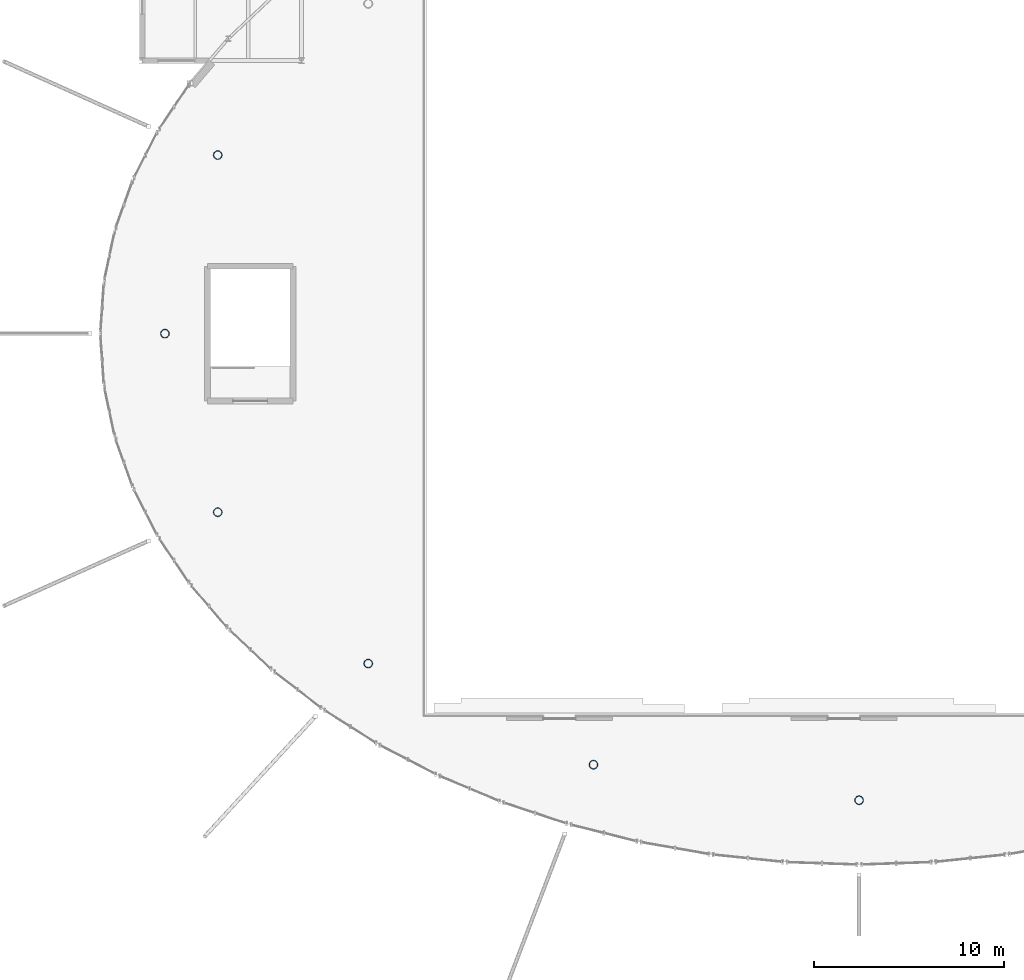
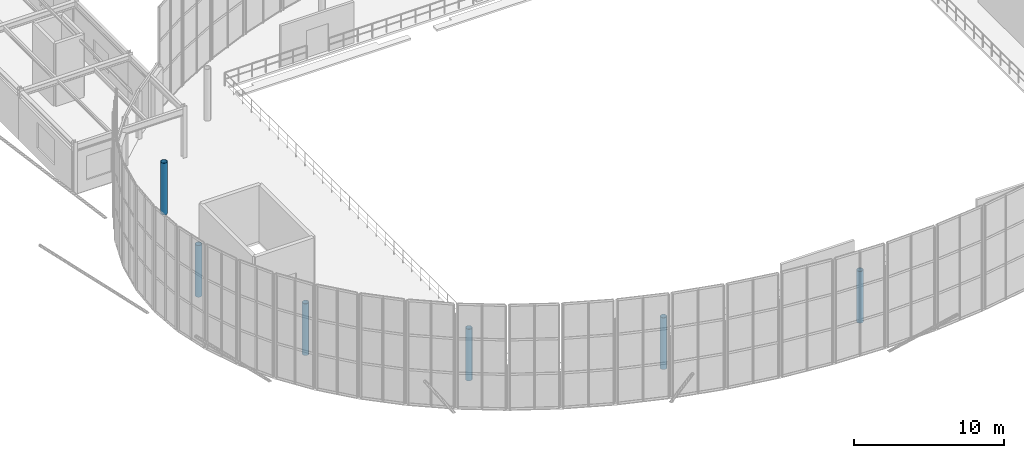
# One storey, part 1 of 109: 6 columns.
"""IFC4 building model written with IfcOpenShell, lengths in metres."""

import ifcopenshell
import ifcopenshell.guid

model = None  # the IFC model being written
_history = None  # IfcOwnerHistory: only IFC2X3 demands one
_inside = {}  # id of a spatial element -> (the spatial element, [elements in it])
_under = {}  # id of a project, library or spatial element -> (it, [spatial elements below it])
_declared = {}  # id of a project -> (the project, [libraries it declares])
_typed = {}  # id of a type object -> (the type object, [elements of that type])
_made_of = {}  # id of a material, layer set ... -> (it, [elements and type objects made of it])


def new_model(schema):
    """Start an empty IFC model of exactly this schema.

    Asked for "IFC4X3", IfcOpenShell would pick the latest addendum, in which some entities
    have other attributes; the version numbers below select the first issue.
    IFC2X3 requires an IfcOwnerHistory on every rooted entity: one is made here for all.
    """
    global model, _history
    if schema == "IFC4X3":
        model = ifcopenshell.file(schema_version=(4, 3, 0, 0))
    else:
        model = ifcopenshell.file(schema=schema)
    _inside.clear()
    _under.clear()
    _declared.clear()
    _typed.clear()
    _made_of.clear()
    _history = None
    if model.schema == "IFC2X3":
        org = make("IfcOrganization", Name="unknown")
        user = make(
            "IfcPersonAndOrganization",
            ThePerson=make("IfcPerson", FamilyName="unknown"),
            TheOrganization=org,
        )
        app = make(
            "IfcApplication",
            ApplicationDeveloper=org,
            Version="unknown",
            ApplicationFullName="unknown",
            ApplicationIdentifier="unknown",
        )
        _history = make(
            "IfcOwnerHistory",
            OwningUser=user,
            OwningApplication=app,
            ChangeAction="ADDED",
            CreationDate=0,
        )
    return model


def make(cls, **values):
    """One entity of the class cls with the attributes given. An attribute that is None is left unset."""
    return model.create_entity(
        cls, **{name: value for name, value in values.items() if value is not None}
    )


def rooted(cls, **values):
    """An entity with a GlobalId (a new one), such as an element, a storey or a relation."""
    return make(cls, GlobalId=ifcopenshell.guid.new(), OwnerHistory=_history, **values)


def si_unit(unit_type, name, prefix=None):
    """IfcSIUnit, for example si_unit("LENGTHUNIT", "METRE", prefix="MILLI")."""
    return make("IfcSIUnit", UnitType=unit_type, Prefix=prefix, Name=name)


def derived_unit(unit_type, elements):
    """IfcDerivedUnit: a product of units, each with its exponent."""
    return make(
        "IfcDerivedUnit",
        Elements=[
            make("IfcDerivedUnitElement", Unit=unit, Exponent=power)
            for unit, power in elements
        ],
        UnitType=unit_type,
    )


def assignment(units):
    """IfcUnitAssignment: the units of a project."""
    return None if units is None else make("IfcUnitAssignment", Units=units)


def point(xyz):
    """IfcCartesianPoint."""
    return None if xyz is None else make("IfcCartesianPoint", Coordinates=xyz)


def direction(xyz):
    """IfcDirection."""
    return None if xyz is None else make("IfcDirection", DirectionRatios=xyz)


def frame(location, z_axis=None, x_axis=None):
    """IfcAxis2Placement3D, a coordinate frame: its origin and axes. An axis left out is left unset."""
    return make(
        "IfcAxis2Placement3D",
        Location=point(location),
        Axis=direction(z_axis),
        RefDirection=direction(x_axis),
    )


def frame_2d(location, x_axis=None):
    """IfcAxis2Placement2D, a coordinate frame in the plane: its origin and x axis."""
    return make(
        "IfcAxis2Placement2D", Location=point(location), RefDirection=direction(x_axis)
    )


def origin():
    """The frame at (0, 0, 0) with its axes left unset."""
    return frame((0.0, 0.0, 0.0))


def origin_2d():
    """The frame at (0, 0) in the plane with its x axis left unset."""
    return frame_2d((0.0, 0.0))


def place(relative_to, where):
    """IfcLocalPlacement: puts the frame where relative to a parent placement (None: the world)."""
    return make(
        "IfcLocalPlacement", PlacementRelTo=relative_to, RelativePlacement=where
    )


def context(
    kind, dimensions, precision=None, world=None, true_north=None, identifier=None
):
    """IfcGeometricRepresentationContext, for example the 3D "Model" context."""
    return make(
        "IfcGeometricRepresentationContext",
        ContextIdentifier=identifier,
        ContextType=kind,
        CoordinateSpaceDimension=dimensions,
        Precision=precision,
        WorldCoordinateSystem=world,
        TrueNorth=true_north,
    )


def subcontext(parent, identifier, kind, view, scale=None):
    """IfcGeometricRepresentationSubContext, for example "Body" below "Model"."""
    return make(
        "IfcGeometricRepresentationSubContext",
        ContextIdentifier=identifier,
        ContextType=kind,
        ParentContext=parent,
        TargetScale=scale,
        TargetView=view,
    )


def project(units=None, contexts=None):
    """IfcProject with its units and contexts."""
    return rooted(
        "IfcProject",
        Name="project",
        RepresentationContexts=contexts,
        UnitsInContext=assignment(units),
    )


def spatial(cls, under=None, at=None, **own):
    """A site, building, storey or space (cls), placed at a placement, below another one or the project."""
    s = rooted(cls, ObjectPlacement=at, **own)
    if under is not None:
        _under.setdefault(under.id(), (under, []))[1].append(s)
    return s


def profile(cls, at=None, kind="AREA", **sizes):
    """A parametric profile (cls). Its sizes go by their IFC names, for example OverallWidth=200.0."""
    return make(cls, ProfileType=kind, Position=at, **sizes)


def hollow_circle(**sizes):
    """IfcCircleHollowProfileDef."""
    return profile("IfcCircleHollowProfileDef", **sizes)


def extrude(swept, where, along, depth):
    """IfcExtrudedAreaSolid: the profile swept, set in the frame where, extruded along a direction by depth."""
    return make(
        "IfcExtrudedAreaSolid",
        SweptArea=swept,
        Position=where,
        ExtrudedDirection=direction(along),
        Depth=depth,
    )


def shape(context_of_items, identifier, shape_type, items):
    """IfcShapeRepresentation: the items that make up one representation, for example the "Body"."""
    return make(
        "IfcShapeRepresentation",
        ContextOfItems=context_of_items,
        RepresentationIdentifier=identifier,
        RepresentationType=shape_type,
        Items=items,
    )


def material(Name=None, Category=None):
    """IfcMaterial."""
    return make("IfcMaterial", Name=Name, Category=Category)


def material_profile(
    of_material, cross_section, Name=None, Category=None, Priority=None
):
    """IfcMaterialProfile: a cross section and its material."""
    return make(
        "IfcMaterialProfile",
        Name=Name,
        Material=of_material,
        Profile=cross_section,
        Priority=Priority,
        Category=Category,
    )


def profile_set(profiles, Name=None, composite=None):
    """IfcMaterialProfileSet."""
    return make(
        "IfcMaterialProfileSet",
        Name=Name,
        MaterialProfiles=profiles,
        CompositeProfile=composite,
    )


def made_of(thing, what):
    """Note that an element or type object is made of a material, layer set ...; save() writes the relation."""
    if what is not None:
        _made_of.setdefault(what.id(), (what, []))[1].append(thing)
    return thing


def type_object(cls, material=None, **own):
    """A type object (cls), such as IfcWallType, which elements share."""
    return made_of(rooted(cls, **own), material)


def element(
    cls,
    number,
    at=None,
    inside=None,
    cuts=None,
    type_object=None,
    material=None,
    context=None,
    identifier="Body",
    shape_type=None,
    held_by="IfcProductDefinitionShape",
    body=None,
    shapes=None,
    **own,
):
    """One element of the class cls, such as IfcWall. Its Tag is "e" and its number.

    at: its placement. inside: the storey or other place that contains it. cuts: it is an
    opening in that element (IfcRelVoidsElement). A single representation is given by context,
    identifier, shape_type and body (its items); several are given by shapes. held_by: the class
    of the entity that holds the representations. save() writes the other relations.
    """
    e = rooted(cls, Tag="e%d" % number, ObjectPlacement=at, **own)
    if body is not None:
        shapes = [shape(context, identifier, shape_type, body)]
    if shapes is not None:
        e.Representation = make(held_by, Representations=shapes)
    if inside is not None:
        _inside.setdefault(inside.id(), (inside, []))[1].append(e)
    if cuts is not None:
        rooted(
            "IfcRelVoidsElement", RelatingBuildingElement=cuts, RelatedOpeningElement=e
        )
    if type_object is not None:
        _typed.setdefault(type_object.id(), (type_object, []))[1].append(e)
    return made_of(e, material)


def aggregate(whole, parts):
    """IfcRelAggregates: a whole, such as a stair, and the parts it consists of."""
    return rooted("IfcRelAggregates", RelatingObject=whole, RelatedObjects=parts)


def save(model, path):
    """Write the relations noted so far, then the file.

    IfcRelAggregates (storeys below a building ...), IfcRelContainedInSpatialStructure (elements
    in a storey), IfcRelDefinesByType, IfcRelAssociatesMaterial and IfcRelDeclares: one each for
    every whole, place, type object, material and project.
    """
    for whole, parts in _under.values():
        aggregate(whole, parts)
    for where, things in _inside.values():
        rooted(
            "IfcRelContainedInSpatialStructure",
            RelatedElements=things,
            RelatingStructure=where,
        )
    for kind, things in _typed.values():
        rooted("IfcRelDefinesByType", RelatedObjects=things, RelatingType=kind)
    for what, things in _made_of.values():
        rooted("IfcRelAssociatesMaterial", RelatedObjects=things, RelatingMaterial=what)
    for by, libraries in _declared.values():
        rooted("IfcRelDeclares", RelatingContext=by, RelatedDefinitions=libraries)
    model.write(path)


model = new_model("IFC4")

# Units and contexts
model_context = context("Model", 3, precision=1e-05, world=origin(), true_north=direction((0.0, 1.0)))
body_context = subcontext(model_context, "Body", "Model", "MODEL_VIEW")
ifc_project = project(units=[si_unit("LENGTHUNIT", "METRE"), si_unit("AREAUNIT", "SQUARE_METRE"), si_unit("VOLUMEUNIT", "CUBIC_METRE"), si_unit("PLANEANGLEUNIT", "RADIAN"), si_unit("MASSUNIT", "GRAM", prefix="KILO"), derived_unit("THERMALTRANSMITTANCEUNIT", [(si_unit("MASSUNIT", "GRAM", prefix="KILO"), 1), (si_unit("TIMEUNIT", "SECOND"), -3), (si_unit("THERMODYNAMICTEMPERATUREUNIT", "KELVIN"), -1)])], contexts=[model_context])

# Site, building, storey
site_placement = place(None, origin())
site = spatial("IfcSite", under=ifc_project, at=site_placement, CompositionType="ELEMENT")
building_placement = place(site_placement, origin())
building = spatial("IfcBuilding", under=site, at=building_placement, Name="Kharveza Railside Sports Centre", CompositionType="ELEMENT")
storey_placement = place(building_placement, frame((0.0, 0.0, 4.5)))
storey = spatial("IfcBuildingStorey", under=building, at=storey_placement, Name="L01", CompositionType="ELEMENT", Elevation=4.5)

# Columns
ifc_material = material(Name="Steel S355J2", Category="steel")
ifc_material_profile = material_profile(ifc_material, hollow_circle(Radius=0.228515625, WallThickness=0.02001953125, at=origin_2d()), Name="CHS 457.0x20.0")
ifc_profile_set = profile_set([ifc_material_profile], Name="Steel S355J2")
column_type = type_object("IfcColumnType", Name="COL-T01", PredefinedType="COLUMN", material=ifc_profile_set)
for number, where, z_axis, x_axis, name in (
    (1, (20.785888671875, 59.81396484375, 0.0), (0.0, 0.0, 1.0), (1.0, 0.0, 0.0), "COL-DRUM-08-L01"),
    (2, (18.0, 50.39990234375, 0.0), (0.0, 0.0, 1.0), (1.0, 0.0, 0.0), "COL-DRUM-09-L01"),
    (3, (20.785888671875, 40.986083984375, 0.0), (0.0, 0.0, 1.0), (1.0, 0.0, 0.0), "COL-DRUM-10-L01"),
    (4, (28.719970703125, 33.005126953125, 0.0), (0.0, 0.0, 1.0), (1.0, 0.0, 0.0), "COL-DRUM-11-L01"),
    (5, (40.59375, 27.672607421875, 0.0), (0.0, 0.0, 1.0), (1.0, 0.0, 0.0), "COL-DRUM-12-L01"),
    (6, (54.60009765625, 25.800048828125, 0.0), (0.0, 0.0, 1.0), (1.0, 0.0, 0.0), "COL-DRUM-13-L01"),
):
    element("IfcColumn", number, at=place(storey_placement, frame(where, z_axis=z_axis, x_axis=x_axis)), inside=storey, type_object=column_type, Name=name, PredefinedType="COLUMN", context=body_context, shape_type="SweptSolid", body=[
        extrude(hollow_circle(Radius=0.228515625, WallThickness=0.02001953125, at=origin_2d()), origin(), (0.0, 0.0, 1.0), 4.199951171875),
    ])

save(model, "model.ifc")
